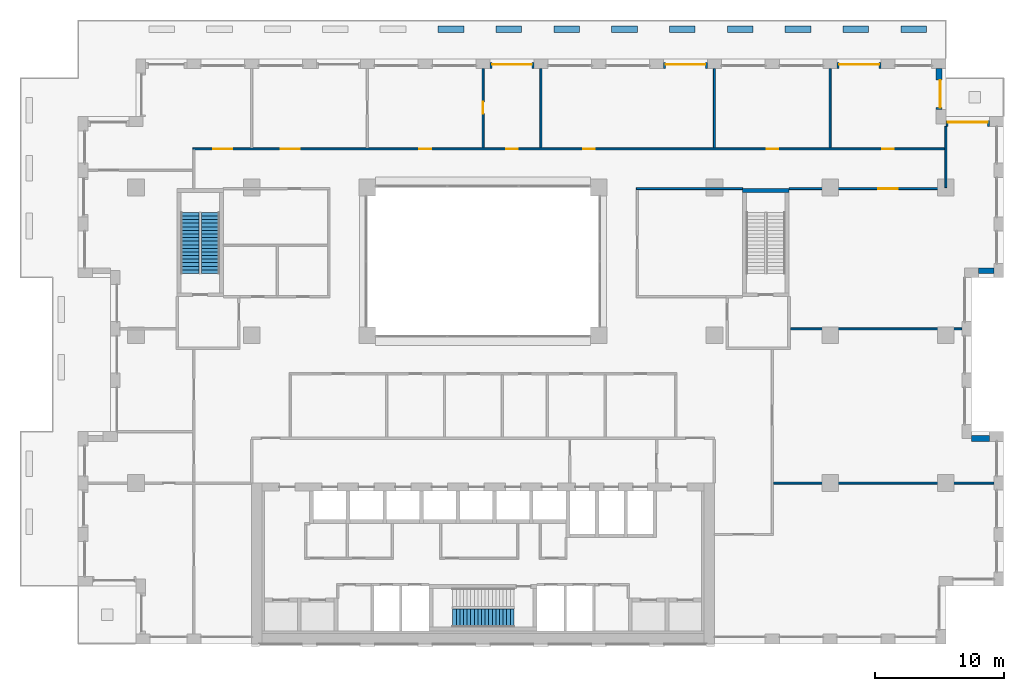
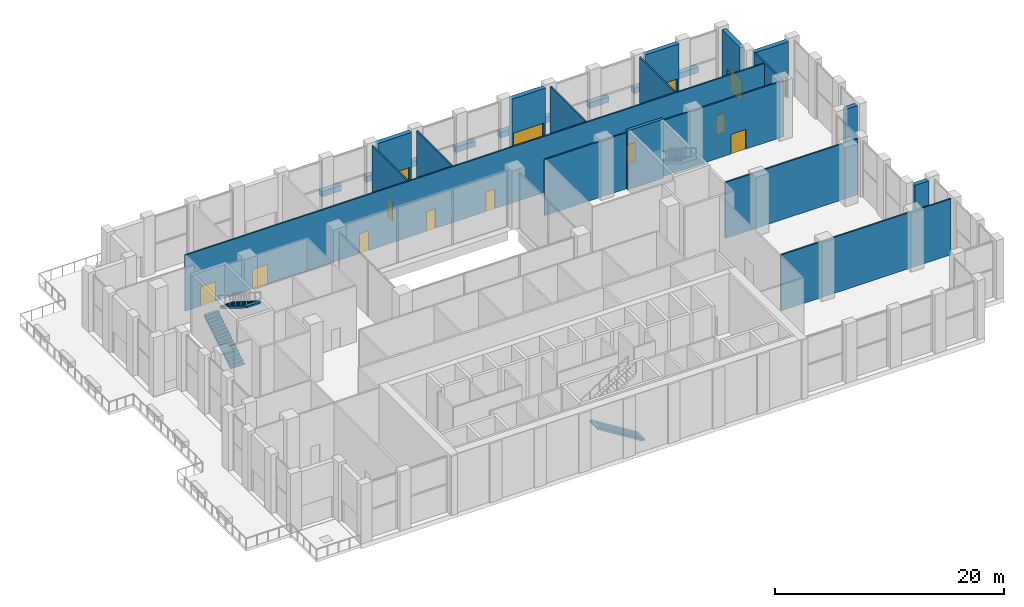
# One storey, part 17 of 21: 27 walls, 14 doors, 3 stair flights, 14 openings, 2 elements without a shape of their own.
"""IFC4 building model written with IfcOpenShell, lengths in metres."""

import ifcopenshell
import ifcopenshell.guid

model = None  # the IFC model being written
_history = None  # IfcOwnerHistory: only IFC2X3 demands one
_inside = {}  # id of a spatial element -> (the spatial element, [elements in it])
_under = {}  # id of a project, library or spatial element -> (it, [spatial elements below it])
_declared = {}  # id of a project -> (the project, [libraries it declares])
_typed = {}  # id of a type object -> (the type object, [elements of that type])
_made_of = {}  # id of a material, layer set ... -> (it, [elements and type objects made of it])


def new_model(schema):
    """Start an empty IFC model of exactly this schema.

    Asked for "IFC4X3", IfcOpenShell would pick the latest addendum, in which some entities
    have other attributes; the version numbers below select the first issue.
    IFC2X3 requires an IfcOwnerHistory on every rooted entity: one is made here for all.
    """
    global model, _history
    if schema == "IFC4X3":
        model = ifcopenshell.file(schema_version=(4, 3, 0, 0))
    else:
        model = ifcopenshell.file(schema=schema)
    _inside.clear()
    _under.clear()
    _declared.clear()
    _typed.clear()
    _made_of.clear()
    _history = None
    if model.schema == "IFC2X3":
        org = make("IfcOrganization", Name="unknown")
        user = make(
            "IfcPersonAndOrganization",
            ThePerson=make("IfcPerson", FamilyName="unknown"),
            TheOrganization=org,
        )
        app = make(
            "IfcApplication",
            ApplicationDeveloper=org,
            Version="unknown",
            ApplicationFullName="unknown",
            ApplicationIdentifier="unknown",
        )
        _history = make(
            "IfcOwnerHistory",
            OwningUser=user,
            OwningApplication=app,
            ChangeAction="ADDED",
            CreationDate=0,
        )
    return model


def make(cls, **values):
    """One entity of the class cls with the attributes given. An attribute that is None is left unset."""
    return model.create_entity(
        cls, **{name: value for name, value in values.items() if value is not None}
    )


def rooted(cls, **values):
    """An entity with a GlobalId (a new one), such as an element, a storey or a relation."""
    return make(cls, GlobalId=ifcopenshell.guid.new(), OwnerHistory=_history, **values)


def si_unit(unit_type, name, prefix=None):
    """IfcSIUnit, for example si_unit("LENGTHUNIT", "METRE", prefix="MILLI")."""
    return make("IfcSIUnit", UnitType=unit_type, Prefix=prefix, Name=name)


def assignment(units):
    """IfcUnitAssignment: the units of a project."""
    return None if units is None else make("IfcUnitAssignment", Units=units)


def point(xyz):
    """IfcCartesianPoint."""
    return None if xyz is None else make("IfcCartesianPoint", Coordinates=xyz)


def direction(xyz):
    """IfcDirection."""
    return None if xyz is None else make("IfcDirection", DirectionRatios=xyz)


def frame(location, z_axis=None, x_axis=None):
    """IfcAxis2Placement3D, a coordinate frame: its origin and axes. An axis left out is left unset."""
    return make(
        "IfcAxis2Placement3D",
        Location=point(location),
        Axis=direction(z_axis),
        RefDirection=direction(x_axis),
    )


def frame_2d(location, x_axis=None):
    """IfcAxis2Placement2D, a coordinate frame in the plane: its origin and x axis."""
    return make(
        "IfcAxis2Placement2D", Location=point(location), RefDirection=direction(x_axis)
    )


def origin():
    """The frame at (0, 0, 0) with its axes left unset."""
    return frame((0.0, 0.0, 0.0))


def place(relative_to, where):
    """IfcLocalPlacement: puts the frame where relative to a parent placement (None: the world)."""
    return make(
        "IfcLocalPlacement", PlacementRelTo=relative_to, RelativePlacement=where
    )


def context(
    kind, dimensions, precision=None, world=None, true_north=None, identifier=None
):
    """IfcGeometricRepresentationContext, for example the 3D "Model" context."""
    return make(
        "IfcGeometricRepresentationContext",
        ContextIdentifier=identifier,
        ContextType=kind,
        CoordinateSpaceDimension=dimensions,
        Precision=precision,
        WorldCoordinateSystem=world,
        TrueNorth=true_north,
    )


def subcontext(parent, identifier, kind, view, scale=None):
    """IfcGeometricRepresentationSubContext, for example "Body" below "Model"."""
    return make(
        "IfcGeometricRepresentationSubContext",
        ContextIdentifier=identifier,
        ContextType=kind,
        ParentContext=parent,
        TargetScale=scale,
        TargetView=view,
    )


def project(units=None, contexts=None):
    """IfcProject with its units and contexts."""
    return rooted(
        "IfcProject",
        Name="project",
        RepresentationContexts=contexts,
        UnitsInContext=assignment(units),
    )


def spatial(cls, under=None, at=None, **own):
    """A site, building, storey or space (cls), placed at a placement, below another one or the project."""
    s = rooted(cls, ObjectPlacement=at, **own)
    if under is not None:
        _under.setdefault(under.id(), (under, []))[1].append(s)
    return s


def polyline(points):
    """IfcPolyline through the points."""
    return make("IfcPolyline", Points=[point(p) for p in points])


def profile(cls, at=None, kind="AREA", **sizes):
    """A parametric profile (cls). Its sizes go by their IFC names, for example OverallWidth=200.0."""
    return make(cls, ProfileType=kind, Position=at, **sizes)


def rectangle(**sizes):
    """IfcRectangleProfileDef."""
    return profile("IfcRectangleProfileDef", **sizes)


def outline(outer, holes=None, kind="AREA"):
    """IfcArbitraryClosedProfileDef: a profile drawn as a closed curve; with holes, ...WithVoids."""
    if holes is None:
        return make("IfcArbitraryClosedProfileDef", ProfileType=kind, OuterCurve=outer)
    return make(
        "IfcArbitraryProfileDefWithVoids",
        ProfileType=kind,
        OuterCurve=outer,
        InnerCurves=holes,
    )


def extrude(swept, where, along, depth):
    """IfcExtrudedAreaSolid: the profile swept, set in the frame where, extruded along a direction by depth."""
    return make(
        "IfcExtrudedAreaSolid",
        SweptArea=swept,
        Position=where,
        ExtrudedDirection=direction(along),
        Depth=depth,
    )


def shape(context_of_items, identifier, shape_type, items):
    """IfcShapeRepresentation: the items that make up one representation, for example the "Body"."""
    return make(
        "IfcShapeRepresentation",
        ContextOfItems=context_of_items,
        RepresentationIdentifier=identifier,
        RepresentationType=shape_type,
        Items=items,
    )


def material(Name=None, Category=None):
    """IfcMaterial."""
    return make("IfcMaterial", Name=Name, Category=Category)


def layer(
    of_material, thickness, ventilated=None, Name=None, Category=None, Priority=None
):
    """IfcMaterialLayer: one layer of a wall or slab, of a material (None: an air gap)."""
    return make(
        "IfcMaterialLayer",
        Material=of_material,
        LayerThickness=thickness,
        IsVentilated=ventilated,
        Name=Name,
        Category=Category,
        Priority=Priority,
    )


def layer_set(layers, Name=None):
    """IfcMaterialLayerSet."""
    return make("IfcMaterialLayerSet", MaterialLayers=layers, LayerSetName=Name)


def made_of(thing, what):
    """Note that an element or type object is made of a material, layer set ...; save() writes the relation."""
    if what is not None:
        _made_of.setdefault(what.id(), (what, []))[1].append(thing)
    return thing


def type_object(cls, material=None, **own):
    """A type object (cls), such as IfcWallType, which elements share."""
    return made_of(rooted(cls, **own), material)


def element(
    cls,
    number,
    at=None,
    inside=None,
    cuts=None,
    type_object=None,
    material=None,
    context=None,
    identifier="Body",
    shape_type=None,
    held_by="IfcProductDefinitionShape",
    body=None,
    shapes=None,
    **own,
):
    """One element of the class cls, such as IfcWall. Its Tag is "e" and its number.

    at: its placement. inside: the storey or other place that contains it. cuts: it is an
    opening in that element (IfcRelVoidsElement). A single representation is given by context,
    identifier, shape_type and body (its items); several are given by shapes. held_by: the class
    of the entity that holds the representations. save() writes the other relations.
    """
    e = rooted(cls, Tag="e%d" % number, ObjectPlacement=at, **own)
    if body is not None:
        shapes = [shape(context, identifier, shape_type, body)]
    if shapes is not None:
        e.Representation = make(held_by, Representations=shapes)
    if inside is not None:
        _inside.setdefault(inside.id(), (inside, []))[1].append(e)
    if cuts is not None:
        rooted(
            "IfcRelVoidsElement", RelatingBuildingElement=cuts, RelatedOpeningElement=e
        )
    if type_object is not None:
        _typed.setdefault(type_object.id(), (type_object, []))[1].append(e)
    return made_of(e, material)


def fill(opening, filler):
    """IfcRelFillsElement: the door or window that sits in an opening."""
    return rooted(
        "IfcRelFillsElement",
        RelatingOpeningElement=opening,
        RelatedBuildingElement=filler,
    )


def aggregate(whole, parts):
    """IfcRelAggregates: a whole, such as a stair, and the parts it consists of."""
    return rooted("IfcRelAggregates", RelatingObject=whole, RelatedObjects=parts)


def save(model, path):
    """Write the relations noted so far, then the file.

    IfcRelAggregates (storeys below a building ...), IfcRelContainedInSpatialStructure (elements
    in a storey), IfcRelDefinesByType, IfcRelAssociatesMaterial and IfcRelDeclares: one each for
    every whole, place, type object, material and project.
    """
    for whole, parts in _under.values():
        aggregate(whole, parts)
    for where, things in _inside.values():
        rooted(
            "IfcRelContainedInSpatialStructure",
            RelatedElements=things,
            RelatingStructure=where,
        )
    for kind, things in _typed.values():
        rooted("IfcRelDefinesByType", RelatedObjects=things, RelatingType=kind)
    for what, things in _made_of.values():
        rooted("IfcRelAssociatesMaterial", RelatedObjects=things, RelatingMaterial=what)
    for by, libraries in _declared.values():
        rooted("IfcRelDeclares", RelatingContext=by, RelatedDefinitions=libraries)
    model.write(path)


model = new_model("IFC4")

# Units and contexts
model_context = context("Model", 3, precision=1e-05, world=origin(), true_north=direction((0.0, 1.0)))
body_context = subcontext(model_context, "Body", "Model", "MODEL_VIEW")
ifc_project = project(units=[si_unit("LENGTHUNIT", "METRE"), si_unit("AREAUNIT", "SQUARE_METRE"), si_unit("VOLUMEUNIT", "CUBIC_METRE"), si_unit("PLANEANGLEUNIT", "RADIAN"), si_unit("MASSUNIT", "GRAM", prefix="KILO")], contexts=[model_context])

# Site, building, storey
site_placement = place(None, origin())
site = spatial("IfcSite", under=ifc_project, at=site_placement, CompositionType="ELEMENT")
building_placement = place(site_placement, origin())
building = spatial("IfcBuilding", under=site, at=building_placement, Name="Brigalow Station Residences", CompositionType="ELEMENT")
storey_placement = place(building_placement, frame((0.0, 0.0, 77.25)))
storey = spatial("IfcBuildingStorey", under=building, at=storey_placement, Name="L22", CompositionType="ELEMENT", Elevation=77.25)

# Walls
ifc_material_1 = material(Name="Clay brick masonry", Category="masonry")
ifc_layer_1 = layer(ifc_material_1, 0.449951171875)
ifc_layer_set_1 = layer_set([ifc_layer_1], Name="BRICK INFILL WALL 450")
wall_type_1 = type_object("IfcWallType", Name="BRICK INFILL WALL 450", PredefinedType="SOLIDWALL", material=ifc_layer_set_1)
wall_1_placement = place(storey_placement, frame((75.39990234375, 15.97509765625, 0.89990234375), z_axis=(0.0, 0.0, 1.0), x_axis=(-1.0, 0.0, 0.0)))
element("IfcWall", 1, at=wall_1_placement, inside=storey, type_object=wall_type_1, Name="L22/ewall/W-L22-13", PredefinedType="SOLIDWALL", context=body_context, shape_type="SweptSolid", body=[
    extrude(rectangle(XDim=1.39990234375, YDim=0.449951171875, at=frame_2d((0.699951171875, 0.0))), origin(), (0.0, 0.0, 1.0), 5.080078125),
])
wall_2_placement = place(storey_placement, frame((74.550048828125, 29.02490234375, 0.89990234375), z_axis=(0.0, 0.0, 1.0), x_axis=(1.0, 0.0, 0.0)))
element("IfcWall", 2, at=wall_2_placement, inside=storey, type_object=wall_type_1, Name="L22/ewall/W-L22-17", PredefinedType="SOLIDWALL", context=body_context, shape_type="SweptSolid", body=[
    extrude(rectangle(XDim=1.199951171875, YDim=0.449951171875, at=frame_2d((0.60009765625, 0.0))), origin(), (0.0, 0.0, 1.0), 5.080078125),
])

# Wall, opening, door
wall_3_placement = place(storey_placement, frame((75.39990234375, 40.47509765625, 0.0), z_axis=(0.0, 0.0, 1.0), x_axis=(-1.0, 0.0, 0.0)))
wall_3 = element("IfcWall", 3, at=wall_3_placement, inside=storey, type_object=wall_type_1, Name="L22/ewall/W-L22-21", PredefinedType="SOLIDWALL", context=body_context, shape_type="SweptSolid", body=[
    extrude(rectangle(XDim=3.39990234375, YDim=0.449951171875, at=frame_2d((1.699951171875, 0.0))), origin(), (0.0, 0.0, 1.0), 5.97998046875),
])
opening_1_placement = place(wall_3_placement, frame((0.14990234375, 0.0, 0.0)))
opening_1 = element("IfcOpeningElement", 4, at=opening_1_placement, cuts=wall_3, Name="Opening D-B3100", PredefinedType="OPENING", context=body_context, shape_type="SweptSolid", body=[
    extrude(rectangle(XDim=3.10009765625, YDim=2.300048828125, at=frame_2d((1.550048828125, 1.14990234375))), frame((0.0, 0.23486328125, 0.0), z_axis=(0.0, -1.0, 0.0), x_axis=(1.0, 0.0, 0.0)), (0.0, 0.0, 1.0), 0.469970703125),
])
ifc_material_2 = material(Name="Anodised aluminium frame with double glazing", Category="aluminium")
door_type_1 = type_object("IfcDoorType", Name="BALCONY SLIDING DOOR 3100x2300", OperationType="SLIDING_TO_LEFT", PredefinedType="DOOR", material=ifc_material_2)
door_1_placement = place(opening_1_placement, origin())
door_1 = element("IfcDoor", 5, at=door_1_placement, inside=storey, type_object=door_type_1, Name="L22/balcony-door/W-L22-21", OperationType="SLIDING_TO_LEFT", OverallHeight=2.300048828125, OverallWidth=3.10009765625, PredefinedType="DOOR", context=body_context, shape_type="SweptSolid", body=[
    extrude(rectangle(XDim=3.10009765625, YDim=2.300048828125, at=frame_2d((1.550048828125, 1.14990234375))), frame((0.0, -0.06982421875, 0.0), z_axis=(0.0, -1.0, 0.0), x_axis=(1.0, 0.0, 0.0)), (0.0, 0.0, 1.0), 0.050048828125),
])
fill(opening_1, door_1)

wall_4_placement = place(storey_placement, frame((71.47509765625, 41.550048828125, 0.0), z_axis=(0.0, 0.0, 1.0), x_axis=(0.0, 1.0, 0.0)))
wall_4 = element("IfcWall", 6, at=wall_4_placement, inside=storey, type_object=wall_type_1, Name="L22/ewall/W-L22-22", PredefinedType="SOLIDWALL", context=body_context, shape_type="SweptSolid", body=[
    extrude(rectangle(XDim=3.199951171875, YDim=0.449951171875, at=frame_2d((1.60009765625, 0.0))), origin(), (0.0, 0.0, 1.0), 5.97998046875),
])
opening_2_placement = place(wall_4_placement, frame((0.14990234375, 0.0, 0.0)))
opening_2 = element("IfcOpeningElement", 7, at=opening_2_placement, cuts=wall_4, Name="Opening D-B2150", PredefinedType="OPENING", context=body_context, shape_type="SweptSolid", body=[
    extrude(rectangle(XDim=2.14990234375, YDim=2.300048828125, at=frame_2d((1.074951171875, 1.14990234375))), frame((0.0, 0.23486328125, 0.0), z_axis=(0.0, -1.0, 0.0), x_axis=(1.0, 0.0, 0.0)), (0.0, 0.0, 1.0), 0.469970703125),
])
ifc_material_3 = material(Name="Anodised aluminium frame with double glazing", Category="aluminium")
door_type_2 = type_object("IfcDoorType", Name="BALCONY SLIDING DOOR 2150x2300", OperationType="SLIDING_TO_LEFT", PredefinedType="DOOR", material=ifc_material_3)
door_2_placement = place(opening_2_placement, origin())
door_2 = element("IfcDoor", 8, at=door_2_placement, inside=storey, type_object=door_type_2, Name="L22/balcony-door/W-L22-22", OperationType="SLIDING_TO_LEFT", OverallHeight=2.300048828125, OverallWidth=2.14990234375, PredefinedType="DOOR", context=body_context, shape_type="SweptSolid", body=[
    extrude(rectangle(XDim=2.14990234375, YDim=2.300048828125, at=frame_2d((1.074951171875, 1.14990234375))), frame((0.0, -0.06982421875, 0.0), z_axis=(0.0, -1.0, 0.0), x_axis=(1.0, 0.0, 0.0)), (0.0, 0.0, 1.0), 0.050048828125),
])
fill(opening_2, door_2)

wall_5_placement = place(storey_placement, frame((66.949951171875, 44.97509765625, 0.0), z_axis=(0.0, 0.0, 1.0), x_axis=(-1.0, 0.0, 0.0)))
wall_5 = element("IfcWall", 9, at=wall_5_placement, inside=storey, type_object=wall_type_1, Name="L22/ewall/W-L22-24", PredefinedType="SOLIDWALL", context=body_context, shape_type="SweptSolid", body=[
    extrude(rectangle(XDim=3.39990234375, YDim=0.449951171875, at=frame_2d((1.699951171875, 0.0))), origin(), (0.0, 0.0, 1.0), 5.97998046875),
])
opening_3_placement = place(wall_5_placement, frame((0.14990234375, 0.0, 0.0)))
opening_3 = element("IfcOpeningElement", 10, at=opening_3_placement, cuts=wall_5, Name="Opening D-B3100", PredefinedType="OPENING", context=body_context, shape_type="SweptSolid", body=[
    extrude(rectangle(XDim=3.10009765625, YDim=2.300048828125, at=frame_2d((1.550048828125, 1.14990234375))), frame((0.0, 0.23486328125, 0.0), z_axis=(0.0, -1.0, 0.0), x_axis=(1.0, 0.0, 0.0)), (0.0, 0.0, 1.0), 0.469970703125),
])
door_3_placement = place(opening_3_placement, origin())
door_3 = element("IfcDoor", 11, at=door_3_placement, inside=storey, type_object=door_type_1, Name="L22/balcony-door/W-L22-24", OperationType="SLIDING_TO_LEFT", OverallHeight=2.300048828125, OverallWidth=3.10009765625, PredefinedType="DOOR", context=body_context, shape_type="SweptSolid", body=[
    extrude(rectangle(XDim=3.10009765625, YDim=2.300048828125, at=frame_2d((1.550048828125, 1.14990234375))), frame((0.0, -0.06982421875, 0.0), z_axis=(0.0, -1.0, 0.0), x_axis=(1.0, 0.0, 0.0)), (0.0, 0.0, 1.0), 0.050048828125),
])
fill(opening_3, door_3)

wall_6_placement = place(storey_placement, frame((53.449951171875, 44.97509765625, 0.0), z_axis=(0.0, 0.0, 1.0), x_axis=(-1.0, 0.0, 0.0)))
wall_6 = element("IfcWall", 12, at=wall_6_placement, inside=storey, type_object=wall_type_1, Name="L22/ewall/W-L22-27", PredefinedType="SOLIDWALL", context=body_context, shape_type="SweptSolid", body=[
    extrude(rectangle(XDim=3.39990234375, YDim=0.449951171875, at=frame_2d((1.699951171875, 0.0))), origin(), (0.0, 0.0, 1.0), 5.97998046875),
])
opening_4_placement = place(wall_6_placement, frame((0.14990234375, 0.0, 0.0)))
opening_4 = element("IfcOpeningElement", 13, at=opening_4_placement, cuts=wall_6, Name="Opening D-B3100", PredefinedType="OPENING", context=body_context, shape_type="SweptSolid", body=[
    extrude(rectangle(XDim=3.10009765625, YDim=2.300048828125, at=frame_2d((1.550048828125, 1.14990234375))), frame((0.0, 0.23486328125, 0.0), z_axis=(0.0, -1.0, 0.0), x_axis=(1.0, 0.0, 0.0)), (0.0, 0.0, 1.0), 0.469970703125),
])
door_4_placement = place(opening_4_placement, origin())
door_4 = element("IfcDoor", 14, at=door_4_placement, inside=storey, type_object=door_type_1, Name="L22/balcony-door/W-L22-27", OperationType="SLIDING_TO_LEFT", OverallHeight=2.300048828125, OverallWidth=3.10009765625, PredefinedType="DOOR", context=body_context, shape_type="SweptSolid", body=[
    extrude(rectangle(XDim=3.10009765625, YDim=2.300048828125, at=frame_2d((1.550048828125, 1.14990234375))), frame((0.0, -0.06982421875, 0.0), z_axis=(0.0, -1.0, 0.0), x_axis=(1.0, 0.0, 0.0)), (0.0, 0.0, 1.0), 0.050048828125),
])
fill(opening_4, door_4)

wall_7_placement = place(storey_placement, frame((39.949951171875, 44.97509765625, 0.0), z_axis=(0.0, 0.0, 1.0), x_axis=(-1.0, 0.0, 0.0)))
wall_7 = element("IfcWall", 15, at=wall_7_placement, inside=storey, type_object=wall_type_1, Name="L22/ewall/W-L22-30", PredefinedType="SOLIDWALL", context=body_context, shape_type="SweptSolid", body=[
    extrude(rectangle(XDim=3.39990234375, YDim=0.449951171875, at=frame_2d((1.699951171875, 0.0))), origin(), (0.0, 0.0, 1.0), 5.97998046875),
])
opening_5_placement = place(wall_7_placement, frame((0.14990234375, 0.0, 0.0)))
opening_5 = element("IfcOpeningElement", 16, at=opening_5_placement, cuts=wall_7, Name="Opening D-B3100", PredefinedType="OPENING", context=body_context, shape_type="SweptSolid", body=[
    extrude(rectangle(XDim=3.10009765625, YDim=2.300048828125, at=frame_2d((1.550048828125, 1.14990234375))), frame((0.0, 0.23486328125, 0.0), z_axis=(0.0, -1.0, 0.0), x_axis=(1.0, 0.0, 0.0)), (0.0, 0.0, 1.0), 0.469970703125),
])
door_5_placement = place(opening_5_placement, origin())
door_5 = element("IfcDoor", 17, at=door_5_placement, inside=storey, type_object=door_type_1, Name="L22/balcony-door/W-L22-30", OperationType="SLIDING_TO_LEFT", OverallHeight=2.300048828125, OverallWidth=3.10009765625, PredefinedType="DOOR", context=body_context, shape_type="SweptSolid", body=[
    extrude(rectangle(XDim=3.10009765625, YDim=2.300048828125, at=frame_2d((1.550048828125, 1.14990234375))), frame((0.0, -0.06982421875, 0.0), z_axis=(0.0, -1.0, 0.0), x_axis=(1.0, 0.0, 0.0)), (0.0, 0.0, 1.0), 0.050048828125),
])
fill(opening_5, door_5)

# Wall
ifc_material_4 = material(Name="Concrete C65", Category="concrete")
ifc_layer_2 = layer(ifc_material_4, 0.300048828125)
ifc_layer_set_2 = layer_set([ifc_layer_2], Name="CORE SHEAR WALL 300 C65")
wall_type_2 = type_object("IfcWallType", Name="CORE SHEAR WALL 300 C65", PredefinedType="SHEAR", material=ifc_layer_set_2)
wall_8_placement = place(storey_placement, frame((56.199951171875, 35.25, 0.0), z_axis=(0.0, 0.0, 1.0), x_axis=(1.0, 0.0, 0.0)))
element("IfcWall", 18, at=wall_8_placement, inside=storey, type_object=wall_type_2, Name="CORE WALL ST-S3-N L22", PredefinedType="SHEAR", context=body_context, shape_type="SweptSolid", body=[
    extrude(rectangle(XDim=3.60009765625, YDim=0.300048828125, at=frame_2d((1.800048828125, 0.0))), origin(), (0.0, 0.0, 1.0), 6.300048828125),
])

# Wall, openings, doors
ifc_material_5 = material(Name="Plasterboard on steel stud partition", Category="steel")
ifc_layer_3 = layer(ifc_material_5, 0.14990234375)
ifc_layer_set_3 = layer_set([ifc_layer_3], Name="FLAT PARTITION 150")
wall_type_3 = type_object("IfcWallType", Name="FLAT PARTITION 150", PredefinedType="PARTITIONING", material=ifc_layer_set_3)
wall_9_placement = place(storey_placement, frame((13.425048828125, 38.5, 0.0), z_axis=(0.0, 0.0, 1.0), x_axis=(1.0, 0.0, 0.0)))
wall_9 = element("IfcWall", 19, at=wall_9_placement, inside=storey, type_object=wall_type_3, Name="PW-SA104", PredefinedType="PARTITIONING", context=body_context, shape_type="SweptSolid", body=[
    extrude(rectangle(XDim=58.5, YDim=0.14990234375, at=frame_2d((29.25, 0.0))), origin(), (0.0, 0.0, 1.0), 5.97998046875),
])
opening_6_placement = place(wall_9_placement, frame((1.574951171875, 0.0, 0.0)))
opening_6 = element("IfcOpeningElement", 20, at=opening_6_placement, cuts=wall_9, Name="Opening D-SA111", PredefinedType="OPENING", context=body_context, shape_type="SweptSolid", body=[
    extrude(rectangle(XDim=1.5, YDim=2.10009765625, at=frame_2d((0.75, 1.050048828125))), frame((0.0, 0.0849609375, 0.0), z_axis=(0.0, -1.0, 0.0), x_axis=(1.0, 0.0, 0.0)), (0.0, 0.0, 1.0), 0.169921875),
])
opening_7_placement = place(wall_9_placement, frame((6.824951171875, 0.0, 0.0)))
opening_7 = element("IfcOpeningElement", 21, at=opening_7_placement, cuts=wall_9, Name="Opening D-SA112", PredefinedType="OPENING", context=body_context, shape_type="SweptSolid", body=[
    extrude(rectangle(XDim=1.5, YDim=2.10009765625, at=frame_2d((0.75, 1.050048828125))), frame((0.0, 0.0849609375, 0.0), z_axis=(0.0, -1.0, 0.0), x_axis=(1.0, 0.0, 0.0)), (0.0, 0.0, 1.0), 0.169921875),
])
opening_8_placement = place(wall_9_placement, frame((17.625, 0.0, 0.0)))
opening_8 = element("IfcOpeningElement", 22, at=opening_8_placement, cuts=wall_9, Name="Opening D-SA114", PredefinedType="OPENING", context=body_context, shape_type="SweptSolid", body=[
    extrude(rectangle(XDim=0.89990234375, YDim=2.10009765625, at=frame_2d((0.449951171875, 1.050048828125))), frame((0.0, 0.0849609375, 0.0), z_axis=(0.0, -1.0, 0.0), x_axis=(1.0, 0.0, 0.0)), (0.0, 0.0, 1.0), 0.169921875),
])
opening_9_placement = place(wall_9_placement, frame((24.375, 0.0, 0.0)))
opening_9 = element("IfcOpeningElement", 23, at=opening_9_placement, cuts=wall_9, Name="Opening D-SA116", PredefinedType="OPENING", context=body_context, shape_type="SweptSolid", body=[
    extrude(rectangle(XDim=0.89990234375, YDim=2.10009765625, at=frame_2d((0.449951171875, 1.050048828125))), frame((0.0, 0.0849609375, 0.0), z_axis=(0.0, -1.0, 0.0), x_axis=(1.0, 0.0, 0.0)), (0.0, 0.0, 1.0), 0.169921875),
])
opening_10_placement = place(wall_9_placement, frame((30.375, 0.0, 0.0)))
opening_10 = element("IfcOpeningElement", 24, at=opening_10_placement, cuts=wall_9, Name="Opening D-SA118", PredefinedType="OPENING", context=body_context, shape_type="SweptSolid", body=[
    extrude(rectangle(XDim=0.89990234375, YDim=2.10009765625, at=frame_2d((0.449951171875, 1.050048828125))), frame((0.0, 0.0849609375, 0.0), z_axis=(0.0, -1.0, 0.0), x_axis=(1.0, 0.0, 0.0)), (0.0, 0.0, 1.0), 0.169921875),
])
opening_11_placement = place(wall_9_placement, frame((44.625, 0.0, 0.0)))
opening_11 = element("IfcOpeningElement", 25, at=opening_11_placement, cuts=wall_9, Name="Opening D-SA119", PredefinedType="OPENING", context=body_context, shape_type="SweptSolid", body=[
    extrude(rectangle(XDim=0.89990234375, YDim=2.10009765625, at=frame_2d((0.449951171875, 1.050048828125))), frame((0.0, 0.0849609375, 0.0), z_axis=(0.0, -1.0, 0.0), x_axis=(1.0, 0.0, 0.0)), (0.0, 0.0, 1.0), 0.169921875),
])
opening_12_placement = place(wall_9_placement, frame((53.625, 0.0, 0.0)))
opening_12 = element("IfcOpeningElement", 26, at=opening_12_placement, cuts=wall_9, Name="Opening D-SA120", PredefinedType="OPENING", context=body_context, shape_type="SweptSolid", body=[
    extrude(rectangle(XDim=0.89990234375, YDim=2.10009765625, at=frame_2d((0.449951171875, 1.050048828125))), frame((0.0, 0.0849609375, 0.0), z_axis=(0.0, -1.0, 0.0), x_axis=(1.0, 0.0, 0.0)), (0.0, 0.0, 1.0), 0.169921875),
])
ifc_material_6 = material(Name="Solid-core timber door leaf", Category="wood")
door_type_3 = type_object("IfcDoorType", Name="INTERNAL DOOR 900 x 2100", OperationType="SINGLE_SWING_LEFT", PredefinedType="DOOR", material=ifc_material_6)
door_6_placement = place(opening_8_placement, origin())
door_6 = element("IfcDoor", 27, at=door_6_placement, inside=storey, type_object=door_type_3, Name="D-SA114", OperationType="SINGLE_SWING_RIGHT", OverallHeight=2.10009765625, OverallWidth=0.89990234375, PredefinedType="DOOR", context=body_context, shape_type="SweptSolid", body=[
    extrude(rectangle(XDim=0.89990234375, YDim=2.10009765625, at=frame_2d((0.449951171875, 1.050048828125))), frame((0.0, 0.02490234375, 0.0), z_axis=(0.0, -1.0, 0.0), x_axis=(1.0, 0.0, 0.0)), (0.0, 0.0, 1.0), 0.050048828125),
])
fill(opening_8, door_6)
door_7_placement = place(opening_9_placement, origin())
door_7 = element("IfcDoor", 28, at=door_7_placement, inside=storey, type_object=door_type_3, Name="D-SA116", OperationType="SINGLE_SWING_LEFT", OverallHeight=2.10009765625, OverallWidth=0.89990234375, PredefinedType="DOOR", context=body_context, shape_type="SweptSolid", body=[
    extrude(rectangle(XDim=0.89990234375, YDim=2.10009765625, at=frame_2d((0.449951171875, 1.050048828125))), frame((0.0, 0.02490234375, 0.0), z_axis=(0.0, -1.0, 0.0), x_axis=(1.0, 0.0, 0.0)), (0.0, 0.0, 1.0), 0.050048828125),
])
fill(opening_9, door_7)
door_8_placement = place(opening_10_placement, origin())
door_8 = element("IfcDoor", 29, at=door_8_placement, inside=storey, type_object=door_type_3, Name="D-SA118", OperationType="SINGLE_SWING_LEFT", OverallHeight=2.10009765625, OverallWidth=0.89990234375, PredefinedType="DOOR", context=body_context, shape_type="SweptSolid", body=[
    extrude(rectangle(XDim=0.89990234375, YDim=2.10009765625, at=frame_2d((0.449951171875, 1.050048828125))), frame((0.0, 0.02490234375, 0.0), z_axis=(0.0, -1.0, 0.0), x_axis=(1.0, 0.0, 0.0)), (0.0, 0.0, 1.0), 0.050048828125),
])
fill(opening_10, door_8)
door_9_placement = place(opening_11_placement, frame((0.89990234375, 0.0, 0.0), z_axis=(0.0, 0.0, 1.0), x_axis=(-1.0, 0.0, 0.0)))
door_9 = element("IfcDoor", 30, at=door_9_placement, inside=storey, type_object=door_type_3, Name="D-SA119", OperationType="SINGLE_SWING_LEFT", OverallHeight=2.10009765625, OverallWidth=0.89990234375, PredefinedType="DOOR", context=body_context, shape_type="SweptSolid", body=[
    extrude(rectangle(XDim=0.89990234375, YDim=2.10009765625, at=frame_2d((0.449951171875, 1.050048828125))), frame((0.0, 0.02490234375, 0.0), z_axis=(0.0, -1.0, 0.0), x_axis=(1.0, 0.0, 0.0)), (0.0, 0.0, 1.0), 0.050048828125),
])
fill(opening_11, door_9)
door_10_placement = place(opening_12_placement, frame((0.89990234375, 0.0, 0.0), z_axis=(0.0, 0.0, 1.0), x_axis=(-1.0, 0.0, 0.0)))
door_10 = element("IfcDoor", 31, at=door_10_placement, inside=storey, type_object=door_type_3, Name="D-SA120", OperationType="SINGLE_SWING_LEFT", OverallHeight=2.10009765625, OverallWidth=0.89990234375, PredefinedType="DOOR", context=body_context, shape_type="SweptSolid", body=[
    extrude(rectangle(XDim=0.89990234375, YDim=2.10009765625, at=frame_2d((0.449951171875, 1.050048828125))), frame((0.0, 0.02490234375, 0.0), z_axis=(0.0, -1.0, 0.0), x_axis=(1.0, 0.0, 0.0)), (0.0, 0.0, 1.0), 0.050048828125),
])
fill(opening_12, door_10)
ifc_material_7 = material(Name="Solid-core timber door leaf", Category="wood")
door_type_4 = type_object("IfcDoorType", Name="INTERNAL DOUBLE DOOR 1500 x 2100", OperationType="DOUBLE_DOOR_SINGLE_SWING", PredefinedType="DOOR", material=ifc_material_7)
door_11_placement = place(opening_6_placement, frame((1.5, 0.0, 0.0), z_axis=(0.0, 0.0, 1.0), x_axis=(-1.0, 0.0, 0.0)))
door_11 = element("IfcDoor", 32, at=door_11_placement, inside=storey, type_object=door_type_4, Name="D-SA111", OperationType="DOUBLE_DOOR_SINGLE_SWING", OverallHeight=2.10009765625, OverallWidth=1.5, PredefinedType="DOOR", context=body_context, shape_type="SweptSolid", body=[
    extrude(rectangle(XDim=1.5, YDim=2.10009765625, at=frame_2d((0.75, 1.050048828125))), frame((0.0, 0.02490234375, 0.0), z_axis=(0.0, -1.0, 0.0), x_axis=(1.0, 0.0, 0.0)), (0.0, 0.0, 1.0), 0.050048828125),
])
fill(opening_6, door_11)
door_12_placement = place(opening_7_placement, frame((1.5, 0.0, 0.0), z_axis=(0.0, 0.0, 1.0), x_axis=(-1.0, 0.0, 0.0)))
door_12 = element("IfcDoor", 33, at=door_12_placement, inside=storey, type_object=door_type_4, Name="D-SA112", OperationType="DOUBLE_DOOR_SINGLE_SWING", OverallHeight=2.10009765625, OverallWidth=1.5, PredefinedType="DOOR", context=body_context, shape_type="SweptSolid", body=[
    extrude(rectangle(XDim=1.5, YDim=2.10009765625, at=frame_2d((0.75, 1.050048828125))), frame((0.0, 0.02490234375, 0.0), z_axis=(0.0, -1.0, 0.0), x_axis=(1.0, 0.0, 0.0)), (0.0, 0.0, 1.0), 0.050048828125),
])
fill(opening_7, door_12)

# Wall
wall_10_placement = place(storey_placement, frame((47.925048828125, 35.39990234375, 0.0), z_axis=(0.0, 0.0, 1.0), x_axis=(1.0, 0.0, 0.0)))
element("IfcWall", 34, at=wall_10_placement, inside=storey, type_object=wall_type_3, Name="PW-SA106", PredefinedType="PARTITIONING", context=body_context, shape_type="SweptSolid", body=[
    extrude(rectangle(XDim=8.27490234375, YDim=0.14990234375, at=frame_2d((4.137451171875, 0.0))), origin(), (0.0, 0.0, 1.0), 5.97998046875),
])

# Wall, opening, door
wall_11_placement = place(storey_placement, frame((59.800048828125, 35.39990234375, 0.0), z_axis=(0.0, 0.0, 1.0), x_axis=(1.0, 0.0, 0.0)))
wall_11 = element("IfcWall", 35, at=wall_11_placement, inside=storey, type_object=wall_type_3, Name="PW-SA107", PredefinedType="PARTITIONING", context=body_context, shape_type="SweptSolid", body=[
    extrude(rectangle(XDim=12.27490234375, YDim=0.14990234375, at=frame_2d((6.137451171875, 0.0))), origin(), (0.0, 0.0, 1.0), 5.97998046875),
])
opening_13_placement = place(wall_11_placement, frame((6.949951171875, 0.0, 0.0)))
opening_13 = element("IfcOpeningElement", 36, at=opening_13_placement, cuts=wall_11, Name="Opening D-SA127", PredefinedType="OPENING", context=body_context, shape_type="SweptSolid", body=[
    extrude(rectangle(XDim=1.5, YDim=2.10009765625, at=frame_2d((0.75, 1.050048828125))), frame((0.0, 0.0849609375, 0.0), z_axis=(0.0, -1.0, 0.0), x_axis=(1.0, 0.0, 0.0)), (0.0, 0.0, 1.0), 0.169921875),
])
door_13_placement = place(opening_13_placement, frame((1.5, 0.0, 0.0), z_axis=(0.0, 0.0, 1.0), x_axis=(-1.0, 0.0, 0.0)))
door_13 = element("IfcDoor", 37, at=door_13_placement, inside=storey, type_object=door_type_4, Name="D-SA127", OperationType="DOUBLE_DOOR_SINGLE_SWING", OverallHeight=2.10009765625, OverallWidth=1.5, PredefinedType="DOOR", context=body_context, shape_type="SweptSolid", body=[
    extrude(rectangle(XDim=1.5, YDim=2.10009765625, at=frame_2d((0.75, 1.050048828125))), frame((0.0, 0.02490234375, 0.0), z_axis=(0.0, -1.0, 0.0), x_axis=(1.0, 0.0, 0.0)), (0.0, 0.0, 1.0), 0.050048828125),
])
fill(opening_13, door_13)

# Walls
wall_12_placement = place(storey_placement, frame((58.574951171875, 12.5, 0.0), z_axis=(0.0, 0.0, 1.0), x_axis=(1.0, 0.0, 0.0)))
element("IfcWall", 38, at=wall_12_placement, inside=storey, type_object=wall_type_3, Name="PW-SA109", PredefinedType="PARTITIONING", context=body_context, shape_type="SweptSolid", body=[
    extrude(rectangle(XDim=17.175048828125, YDim=0.14990234375, at=frame_2d((8.58740234375, 0.0))), origin(), (0.0, 0.0, 1.0), 5.97998046875),
])
wall_13_placement = place(storey_placement, frame((59.89990234375, 24.5, 0.0), z_axis=(0.0, 0.0, 1.0), x_axis=(1.0, 0.0, 0.0)))
element("IfcWall", 39, at=wall_13_placement, inside=storey, type_object=wall_type_3, Name="PW-SA113", PredefinedType="PARTITIONING", context=body_context, shape_type="SweptSolid", body=[
    extrude(rectangle(XDim=13.35009765625, YDim=0.14990234375, at=frame_2d((6.675048828125, 0.0))), origin(), (0.0, 0.0, 1.0), 5.97998046875),
])
wall_14_placement = place(storey_placement, frame((72.0, 35.47509765625, 0.0), z_axis=(0.0, 0.0, 1.0), x_axis=(0.0, 1.0, 0.0)))
element("IfcWall", 40, at=wall_14_placement, inside=storey, type_object=wall_type_3, Name="PW-SA124", PredefinedType="PARTITIONING", context=body_context, shape_type="SweptSolid", body=[
    extrude(rectangle(XDim=4.77490234375, YDim=0.14990234375, at=frame_2d((2.387451171875, 0.0))), origin(), (0.0, 0.0, 1.0), 5.97998046875),
])

# Wall, opening, door
wall_15_placement = place(storey_placement, frame((36.0, 38.574951171875, 0.0), z_axis=(0.0, 0.0, 1.0), x_axis=(0.0, 1.0, 0.0)))
wall_15 = element("IfcWall", 41, at=wall_15_placement, inside=storey, type_object=wall_type_3, Name="PW-SA129", PredefinedType="PARTITIONING", context=body_context, shape_type="SweptSolid", body=[
    extrude(rectangle(XDim=6.175048828125, YDim=0.14990234375, at=frame_2d((3.08740234375, 0.0))), origin(), (0.0, 0.0, 1.0), 5.97998046875),
])
opening_14_placement = place(wall_15_placement, frame((2.675048828125, 0.0, 0.0)))
opening_14 = element("IfcOpeningElement", 42, at=opening_14_placement, cuts=wall_15, Name="Opening D-SA115", PredefinedType="OPENING", context=body_context, shape_type="SweptSolid", body=[
    extrude(rectangle(XDim=0.89990234375, YDim=2.10009765625, at=frame_2d((0.449951171875, 1.050048828125))), frame((0.0, 0.0849609375, 0.0), z_axis=(0.0, -1.0, 0.0), x_axis=(1.0, 0.0, 0.0)), (0.0, 0.0, 1.0), 0.169921875),
])
door_14_placement = place(opening_14_placement, frame((0.89990234375, 0.0, 0.0), z_axis=(0.0, 0.0, 1.0), x_axis=(-1.0, 0.0, 0.0)))
door_14 = element("IfcDoor", 43, at=door_14_placement, inside=storey, type_object=door_type_3, Name="D-SA115", OperationType="SINGLE_SWING_LEFT", OverallHeight=2.10009765625, OverallWidth=0.89990234375, PredefinedType="DOOR", context=body_context, shape_type="SweptSolid", body=[
    extrude(rectangle(XDim=0.89990234375, YDim=2.10009765625, at=frame_2d((0.449951171875, 1.050048828125))), frame((0.0, 0.02490234375, 0.0), z_axis=(0.0, -1.0, 0.0), x_axis=(1.0, 0.0, 0.0)), (0.0, 0.0, 1.0), 0.050048828125),
])
fill(opening_14, door_14)

# Walls
for number, where, z_axis, x_axis, name in (
    (44, (40.5, 38.574951171875, 0.0), (0.0, 0.0, 1.0), (0.0, 1.0, 0.0), "PW-SA130"),
    (45, (54.0, 38.574951171875, 0.0), (0.0, 0.0, 1.0), (0.0, 1.0, 0.0), "PW-SA131"),
    (46, (63.0, 38.574951171875, 0.0), (0.0, 0.0, 1.0), (0.0, 1.0, 0.0), "PW-SA132"),
):
    element("IfcWall", number, at=place(storey_placement, frame(where, z_axis=z_axis, x_axis=x_axis)), inside=storey, type_object=wall_type_3, Name=name, PredefinedType="PARTITIONING", context=body_context, shape_type="SweptSolid", body=[
        extrude(rectangle(XDim=6.175048828125, YDim=0.14990234375, at=frame_2d((3.08740234375, 0.0))), origin(), (0.0, 0.0, 1.0), 5.97998046875),
    ])
ifc_material_8 = material(Name="Concrete C50 precast", Category="concrete")
ifc_layer_4 = layer(ifc_material_8, 0.5)
ifc_layer_set_4 = layer_set([ifc_layer_4], Name="PLANTER 500x600")
wall_type_4 = type_object("IfcWallType", Name="PLANTER 500x600", PredefinedType="USERDEFINED", material=ifc_layer_set_4)
for number, where, z_axis, x_axis, name in (
    (47, (70.5, 47.800048828125, -0.0400390625), (0.0, 0.0, 1.0), (-1.0, 0.0, 0.0), "L22/planter/1-1"),
    (48, (66.0, 47.800048828125, -0.0400390625), (0.0, 0.0, 1.0), (-1.0, 0.0, 0.0), "L22/planter/1-2"),
    (49, (61.5, 47.800048828125, -0.0400390625), (0.0, 0.0, 1.0), (-1.0, 0.0, 0.0), "L22/planter/1-3"),
    (50, (57.0, 47.800048828125, -0.0400390625), (0.0, 0.0, 1.0), (-1.0, 0.0, 0.0), "L22/planter/1-4"),
    (51, (52.5, 47.800048828125, -0.0400390625), (0.0, 0.0, 1.0), (-1.0, 0.0, 0.0), "L22/planter/1-5"),
    (52, (48.0, 47.800048828125, -0.0400390625), (0.0, 0.0, 1.0), (-1.0, 0.0, 0.0), "L22/planter/1-6"),
    (53, (43.5, 47.800048828125, -0.0400390625), (0.0, 0.0, 1.0), (-1.0, 0.0, 0.0), "L22/planter/1-7"),
    (54, (39.0, 47.800048828125, -0.0400390625), (0.0, 0.0, 1.0), (-1.0, 0.0, 0.0), "L22/planter/1-8"),
    (55, (34.5, 47.800048828125, -0.0400390625), (0.0, 0.0, 1.0), (-1.0, 0.0, 0.0), "L22/planter/1-9"),
):
    element("IfcWall", number, at=place(storey_placement, frame(where, z_axis=z_axis, x_axis=x_axis)), inside=storey, type_object=wall_type_4, Name=name, ObjectType="PLANTER", PredefinedType="USERDEFINED", context=body_context, shape_type="SweptSolid", body=[
        extrude(rectangle(XDim=2.0, YDim=0.5, at=frame_2d((1.0, 0.0))), origin(), (0.0, 0.0, 1.0), 0.60009765625),
    ])

# Stair, stair flight
ifc_material_9 = material(Name="Concrete C50", Category="concrete")
stair_type = type_object("IfcStairType", Name="EXIT STAIR 1400 2 FLIGHT", PredefinedType="HALF_TURN_STAIR", material=ifc_material_9)
stair_1_placement = place(storey_placement, origin())
stair_1 = element("IfcStair", 56, at=stair_1_placement, inside=storey, type_object=stair_type, Name="EXIT STAIR S2 L22", PredefinedType="HALF_TURN_STAIR")
ifc_material_10 = material(Name="Concrete C50", Category="concrete")
stair_flight_type = type_object("IfcStairFlightType", Name="STAIR FLIGHT 1400", PredefinedType="STRAIGHT", material=ifc_material_10)
stair_flight_1_placement = place(storey_placement, frame((38.39990234375, 2.0, 0.0), z_axis=(0.0, 0.0, 1.0), x_axis=(-1.0, 0.0, 0.0)))
stair_flight_1 = element("IfcStairFlight", 57, at=stair_flight_1_placement, type_object=stair_flight_type, Name="ST-2 flight 1", NumberOfRisers=18, NumberOfTreads=17, PredefinedType="STRAIGHT", RiserHeight=0.175, TreadLength=0.28, context=body_context, shape_type="SweptSolid", body=[
    extrude(outline(polyline([(0.0, 0.0), (0.0, 0.175048828125), (0.280029296875, 0.175048828125), (0.280029296875, 0.35009765625), (0.56005859375, 0.35009765625), (0.56005859375, 0.52490234375), (0.840087890625, 0.52490234375), (0.840087890625, 0.699951171875), (1.1201171875, 0.699951171875), (1.1201171875, 0.875), (1.39990234375, 0.875), (1.39990234375, 1.050048828125), (1.679931640625, 1.050048828125), (1.679931640625, 1.22509765625), (1.9599609375, 1.22509765625), (1.9599609375, 1.39990234375), (2.239990234375, 1.39990234375), (2.239990234375, 1.574951171875), (2.52001953125, 1.574951171875), (2.52001953125, 1.75), (2.800048828125, 1.75), (2.800048828125, 1.925048828125), (3.080078125, 1.925048828125), (3.080078125, 2.10009765625), (3.360107421875, 2.10009765625), (3.360107421875, 2.27490234375), (3.639892578125, 2.27490234375), (3.639892578125, 2.449951171875), (3.919921875, 2.449951171875), (3.919921875, 2.625), (4.199951171875, 2.625), (4.199951171875, 2.800048828125), (4.47998046875, 2.800048828125), (4.47998046875, 2.97509765625), (4.760009765625, 2.97509765625), (4.760009765625, 3.14990234375), (4.760009765625, 2.79833984375), (0.28271484375, 0.0), (0.0, 0.0)])), frame((0.0, 0.699951171875, 0.0), z_axis=(0.0, -1.0, 0.0), x_axis=(1.0, 0.0, 0.0)), (0.0, 0.0, 1.0), 1.39990234375),
])
aggregate(stair_1, [stair_flight_1])

# Stair, stair flights
stair_2_placement = place(storey_placement, origin())
stair_2 = element("IfcStair", 58, at=stair_2_placement, inside=storey, type_object=stair_type, Name="EXIT STAIR S1 L22", PredefinedType="HALF_TURN_STAIR")
stair_flight_2_placement = place(storey_placement, frame((13.199951171875, 28.800048828125, 0.0), z_axis=(0.0, 0.0, 1.0), x_axis=(0.0, 1.0, 0.0)))
stair_flight_2 = element("IfcStairFlight", 59, at=stair_flight_2_placement, type_object=stair_flight_type, Name="ST-1 flight 1", NumberOfRisers=18, NumberOfTreads=17, PredefinedType="STRAIGHT", RiserHeight=0.175, TreadLength=0.28, context=body_context, shape_type="SweptSolid", body=[
    extrude(outline(polyline([(0.0, 0.0), (0.0, 0.175048828125), (0.280029296875, 0.175048828125), (0.280029296875, 0.35009765625), (0.56005859375, 0.35009765625), (0.56005859375, 0.52490234375), (0.840087890625, 0.52490234375), (0.840087890625, 0.699951171875), (1.1201171875, 0.699951171875), (1.1201171875, 0.875), (1.39990234375, 0.875), (1.39990234375, 1.050048828125), (1.679931640625, 1.050048828125), (1.679931640625, 1.22509765625), (1.9599609375, 1.22509765625), (1.9599609375, 1.39990234375), (2.239990234375, 1.39990234375), (2.239990234375, 1.574951171875), (2.52001953125, 1.574951171875), (2.52001953125, 1.75), (2.800048828125, 1.75), (2.800048828125, 1.925048828125), (3.080078125, 1.925048828125), (3.080078125, 2.10009765625), (3.360107421875, 2.10009765625), (3.360107421875, 2.27490234375), (3.639892578125, 2.27490234375), (3.639892578125, 2.449951171875), (3.919921875, 2.449951171875), (3.919921875, 2.625), (4.199951171875, 2.625), (4.199951171875, 2.800048828125), (4.47998046875, 2.800048828125), (4.47998046875, 2.97509765625), (4.760009765625, 2.97509765625), (4.760009765625, 3.14990234375), (4.760009765625, 2.79833984375), (0.28271484375, 0.0), (0.0, 0.0)])), frame((0.0, 0.699951171875, 0.0), z_axis=(0.0, -1.0, 0.0), x_axis=(1.0, 0.0, 0.0)), (0.0, 0.0, 1.0), 1.39990234375),
])
stair_flight_3_placement = place(storey_placement, frame((14.800048828125, 33.56005859375, 3.14990234375), z_axis=(0.0, 0.0, 1.0), x_axis=(0.0, -1.0, 0.0)))
stair_flight_3 = element("IfcStairFlight", 60, at=stair_flight_3_placement, type_object=stair_flight_type, Name="ST-1 flight 2", NumberOfRisers=18, NumberOfTreads=17, PredefinedType="STRAIGHT", RiserHeight=0.175, TreadLength=0.28, context=body_context, shape_type="SweptSolid", body=[
    extrude(outline(polyline([(0.0, 0.0), (0.0, 0.175048828125), (0.280029296875, 0.175048828125), (0.280029296875, 0.35009765625), (0.56005859375, 0.35009765625), (0.56005859375, 0.52490234375), (0.840087890625, 0.52490234375), (0.840087890625, 0.699951171875), (1.1201171875, 0.699951171875), (1.1201171875, 0.875), (1.39990234375, 0.875), (1.39990234375, 1.050048828125), (1.679931640625, 1.050048828125), (1.679931640625, 1.22509765625), (1.9599609375, 1.22509765625), (1.9599609375, 1.39990234375), (2.239990234375, 1.39990234375), (2.239990234375, 1.574951171875), (2.52001953125, 1.574951171875), (2.52001953125, 1.75), (2.800048828125, 1.75), (2.800048828125, 1.925048828125), (3.080078125, 1.925048828125), (3.080078125, 2.10009765625), (3.360107421875, 2.10009765625), (3.360107421875, 2.27490234375), (3.639892578125, 2.27490234375), (3.639892578125, 2.449951171875), (3.919921875, 2.449951171875), (3.919921875, 2.625), (4.199951171875, 2.625), (4.199951171875, 2.800048828125), (4.47998046875, 2.800048828125), (4.47998046875, 2.97509765625), (4.760009765625, 2.97509765625), (4.760009765625, 3.14990234375), (4.760009765625, 2.79833984375), (0.28271484375, 0.0), (0.0, 0.0)])), frame((0.0, 0.699951171875, 0.0), z_axis=(0.0, -1.0, 0.0), x_axis=(1.0, 0.0, 0.0)), (0.0, 0.0, 1.0), 1.39990234375),
])
aggregate(stair_2, [stair_flight_2, stair_flight_3])

save(model, "model.ifc")
